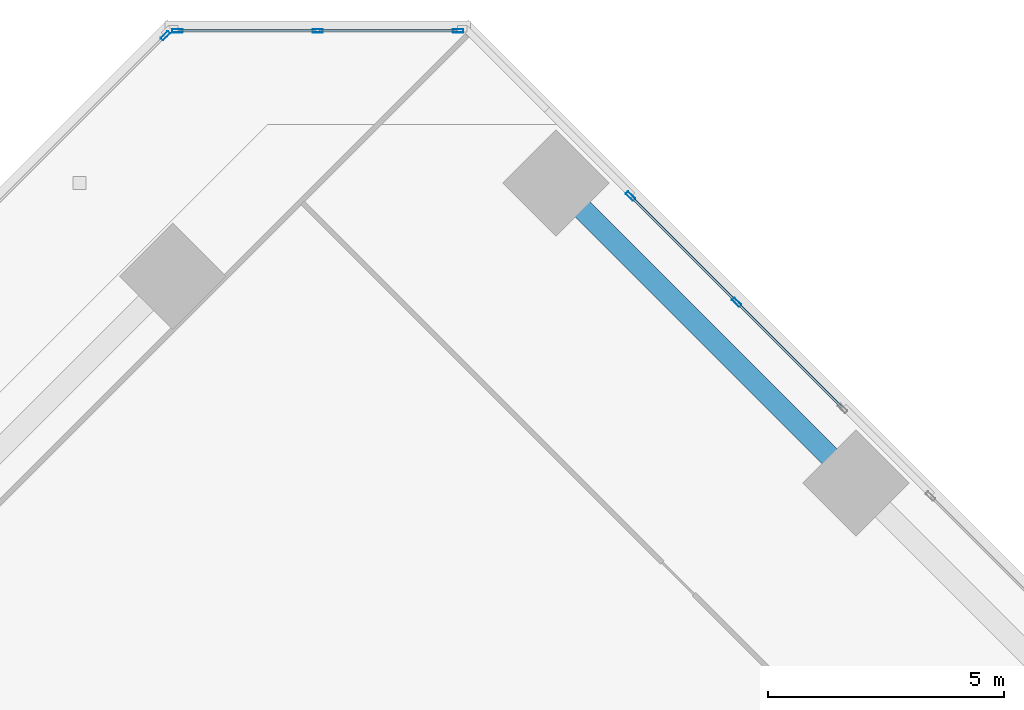
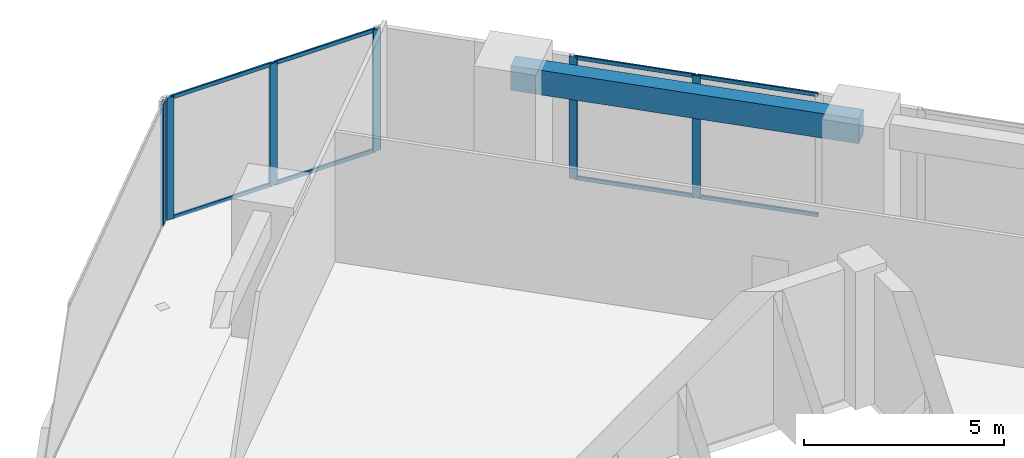
# One storey, part 10 of 17: 14 members, 1 beam, 3 elements without a shape of their own.
"""IFC4 building model written with IfcOpenShell, lengths in metres."""

from ifc_helpers import new_model, si_unit, direction, frame, origin, origin_2d, place, context, subcontext, project, spatial, rectangle, hollow_rectangle, extrude, source, transform, mapped, material, material_profile, profile_set, type_object, element, aggregate, save


model = new_model("IFC4")

# Units and contexts
model_context = context("Model", 3, precision=1e-05, world=origin(), true_north=direction((0.0, 1.0)))
body_context = subcontext(model_context, "Body", "Model", "MODEL_VIEW")
ifc_project = project(units=[si_unit("LENGTHUNIT", "METRE"), si_unit("AREAUNIT", "SQUARE_METRE"), si_unit("VOLUMEUNIT", "CUBIC_METRE"), si_unit("PLANEANGLEUNIT", "RADIAN"), si_unit("MASSUNIT", "GRAM", prefix="KILO")], contexts=[model_context])

# Site, building, storey
site_placement = place(None, origin())
site = spatial("IfcSite", under=ifc_project, at=site_placement, CompositionType="ELEMENT")
building_placement = place(site_placement, origin())
building = spatial("IfcBuilding", under=site, at=building_placement, Name="Torre Montelarca", CompositionType="ELEMENT")
storey_placement = place(building_placement, frame((0.0, 0.0, 241.60009765625)))
storey = spatial("IfcBuildingStorey", under=building, at=storey_placement, Name="L54", CompositionType="ELEMENT", Elevation=241.60009765625)

# Beam
ifc_material_1 = material(Name="Concrete C55/67", Category="concrete")
ifc_material_profile_1 = material_profile(ifc_material_1, rectangle(XDim=0.449951171875, YDim=0.75, at=origin_2d()), Name="RCB450X750", Category="concrete")
ifc_profile_set_1 = profile_set([ifc_material_profile_1], Name="Concrete C55/67")
beam_type = type_object("IfcBeamType", Name="BM-SP-RC750-EXT", PredefinedType="SPANDREL", material=ifc_profile_set_1)
shared_shape_1 = source(origin(), body_context, "Body", "SweptSolid", [
    extrude(rectangle(XDim=0.449951171875, YDim=0.75, at=origin_2d()), origin(), (0.0, 0.0, 1.0), 9.0),
])
beam_placement = place(storey_placement, frame((23.373779296875, 51.551513671875, 3.5849609375), z_axis=(0.707106781187, -0.707106781187, 0.0), x_axis=(0.707106781187, 0.707106781187, 0.0)))
element("IfcBeam", 1, at=beam_placement, inside=storey, type_object=beam_type, Name="L54 Grid Girder X 9.0-18.0 at Y=47.1", PredefinedType="SPANDREL", context=body_context, shape_type="MappedRepresentation", body=[
    mapped(shared_shape_1, transform((0.0, 0.0, 0.0), scale=1.0)),
])

# Curtain wall, members
ifc_material_2 = material(Name="Insulated low-E laminated glass", Category="glass")
curtain_wall_type = type_object("IfcCurtainWallType", Name="CW-SYS-Z3", PredefinedType="USERDEFINED", material=ifc_material_2)
curtain_wall_1_placement = place(storey_placement, origin())
curtain_wall_1 = element("IfcCurtainWall", 2, at=curtain_wall_1_placement, inside=storey, type_object=curtain_wall_type, Name="L54 Curtain Wall Run CW-T3-L54-E08-B3", ObjectType="UNITISED GLAZING", PredefinedType="USERDEFINED")
ifc_material_3 = material(Name="Anodised aluminium AA 6063-T6", Category="aluminium")
ifc_material_profile_2 = material_profile(ifc_material_3, hollow_rectangle(XDim=0.074951171875, YDim=0.219970703125, WallThickness=0.0048828125, InnerFilletRadius=0.0048828125, OuterFilletRadius=0.010009765625, at=origin_2d()), Name="ALU75X220X5", Category="aluminium")
ifc_profile_set_2 = profile_set([ifc_material_profile_2], Name="Anodised aluminium AA 6063-T6")
member_type_1 = type_object("IfcMemberType", Name="CWM-ALU220", PredefinedType="MULLION", material=ifc_profile_set_2)
shared_shape_2 = source(origin(), body_context, "Body", "SweptSolid", [
    extrude(hollow_rectangle(XDim=0.074951171875, YDim=0.219970703125, WallThickness=0.0048828125, InnerFilletRadius=0.0048828125, OuterFilletRadius=0.010009765625, at=origin_2d()), origin(), (0.0, 0.0, 1.0), 3.719970703125),
])
member_1_placement = place(storey_placement, frame((27.206298828125, 49.02001953125, 0.0), z_axis=(0.0, 0.0, 1.0), x_axis=(-0.707106781187, -0.707106781187, 0.0)))
member_1 = element("IfcMember", 3, at=member_1_placement, type_object=member_type_1, Name="CW mullion 2", PredefinedType="MULLION", context=body_context, shape_type="MappedRepresentation", body=[
    mapped(shared_shape_2, transform((0.0, 0.0, 0.0), scale=1.0)),
])
member_2_placement = place(storey_placement, frame((24.9560546875, 51.2705078125, 0.0), z_axis=(0.0, 0.0, 1.0), x_axis=(-0.707106781187, -0.707106781187, 0.0)))
member_2 = element("IfcMember", 4, at=member_2_placement, type_object=member_type_1, Name="CW mullion 3", PredefinedType="MULLION", context=body_context, shape_type="MappedRepresentation", body=[
    mapped(shared_shape_2, transform((0.0, 0.0, 0.0), scale=1.0)),
])

curtain_wall_2_placement = place(storey_placement, origin())
curtain_wall_2 = element("IfcCurtainWall", 5, at=curtain_wall_2_placement, inside=storey, type_object=curtain_wall_type, Name="L54 Curtain Wall Run CW-T3-L54-E09-B1", ObjectType="UNITISED GLAZING", PredefinedType="USERDEFINED")
member_3_placement = place(storey_placement, frame((21.296630859375, 54.7802734375, 0.0), z_axis=(0.0, 0.0, 1.0), x_axis=(0.0, -1.0, 0.0)))
member_3 = element("IfcMember", 6, at=member_3_placement, type_object=member_type_1, Name="CW mullion 1", PredefinedType="MULLION", context=body_context, shape_type="MappedRepresentation", body=[
    mapped(shared_shape_2, transform((0.0, 0.0, 0.0), scale=1.0)),
])
member_4_placement = place(storey_placement, frame((18.318115234375, 54.7802734375, 0.0), z_axis=(0.0, 0.0, 1.0), x_axis=(0.0, -1.0, 0.0)))
member_4 = element("IfcMember", 7, at=member_4_placement, type_object=member_type_1, Name="CW mullion 2", PredefinedType="MULLION", context=body_context, shape_type="MappedRepresentation", body=[
    mapped(shared_shape_2, transform((0.0, 0.0, 0.0), scale=1.0)),
])
member_5_placement = place(storey_placement, frame((15.33935546875, 54.7802734375, 0.0), z_axis=(0.0, 0.0, 1.0), x_axis=(0.0, -1.0, 0.0)))
member_5 = element("IfcMember", 8, at=member_5_placement, type_object=member_type_1, Name="CW mullion 3", PredefinedType="MULLION", context=body_context, shape_type="MappedRepresentation", body=[
    mapped(shared_shape_2, transform((0.0, 0.0, 0.0), scale=1.0)),
])

# Curtain wall, member
curtain_wall_3_placement = place(storey_placement, origin())
curtain_wall_3 = element("IfcCurtainWall", 9, at=curtain_wall_3_placement, inside=storey, type_object=curtain_wall_type, Name="L54 Curtain Wall Run CW-T3-L54-E10-B1", ObjectType="UNITISED GLAZING", PredefinedType="USERDEFINED")
member_6_placement = place(storey_placement, frame((15.083984375, 54.674560546875, 0.0), z_axis=(0.0, 0.0, 1.0), x_axis=(0.707108775742, -0.707104786625, 0.0)))
member_6 = element("IfcMember", 10, at=member_6_placement, type_object=member_type_1, Name="CW mullion 1", PredefinedType="MULLION", context=body_context, shape_type="MappedRepresentation", body=[
    mapped(shared_shape_2, transform((0.0, 0.0, 0.0), scale=1.0)),
])
aggregate(curtain_wall_3, [member_6])

# Member
ifc_material_profile_3 = material_profile(ifc_material_3, hollow_rectangle(XDim=0.054931640625, YDim=0.1201171875, WallThickness=0.00341796875, InnerFilletRadius=0.00341796875, OuterFilletRadius=0.007080078125, at=origin_2d()), Name="ALU55X120X3.5", Category="aluminium")
ifc_profile_set_3 = profile_set([ifc_material_profile_3], Name="Anodised aluminium AA 6063-T6")
member_type_2 = type_object("IfcMemberType", Name="CWT-ALU120", PredefinedType="USERDEFINED", material=ifc_profile_set_3)
shared_shape_3 = source(origin(), body_context, "Body", "SweptSolid", [
    extrude(hollow_rectangle(XDim=0.054931640625, YDim=0.1201171875, WallThickness=0.00341796875, InnerFilletRadius=0.00341796875, OuterFilletRadius=0.007080078125, at=origin_2d()), origin(), (0.0, 0.0, 1.0), 3.107666015625),
])
member_7_placement = place(storey_placement, frame((29.43017578125, 46.796142578125, 0.02734375), z_axis=(-0.707067498568, 0.707146061623, 0.0), x_axis=(-0.707146061623, -0.707067498568, 0.0)))
member_7 = element("IfcMember", 11, at=member_7_placement, type_object=member_type_2, Name="CW transom 1.1", ObjectType="TRANSOM", PredefinedType="USERDEFINED", context=body_context, shape_type="MappedRepresentation", body=[
    mapped(shared_shape_3, transform((0.0, 0.0, 0.0), scale=1.0)),
])

member_8_placement = place(storey_placement, frame((29.43017578125, 46.796142578125, 3.6923828125), z_axis=(-0.707067498568, 0.707146061623, 0.0), x_axis=(-0.707146061623, -0.707067498568, 0.0)))
member_8 = element("IfcMember", 12, at=member_8_placement, type_object=member_type_2, Name="CW transom 1.2", ObjectType="TRANSOM", PredefinedType="USERDEFINED", context=body_context, shape_type="MappedRepresentation", body=[
    mapped(shared_shape_3, transform((0.0, 0.0, 0.0), scale=1.0)),
])

member_9_placement = place(storey_placement, frame((27.179931640625, 49.046630859375, 0.02734375), z_axis=(-0.707146061623, 0.707067498568, 0.0), x_axis=(-0.707067498568, -0.707146061623, 0.0)))
member_9 = element("IfcMember", 13, at=member_9_placement, type_object=member_type_2, Name="CW transom 2.1", ObjectType="TRANSOM", PredefinedType="USERDEFINED", context=body_context, shape_type="MappedRepresentation", body=[
    mapped(shared_shape_3, transform((0.0, 0.0, 0.0), scale=1.0)),
])

member_10_placement = place(storey_placement, frame((27.179931640625, 49.046630859375, 3.6923828125), z_axis=(-0.707146061623, 0.707067498568, 0.0), x_axis=(-0.707067498568, -0.707146061623, 0.0)))
member_10 = element("IfcMember", 14, at=member_10_placement, type_object=member_type_2, Name="CW transom 2.2", ObjectType="TRANSOM", PredefinedType="USERDEFINED", context=body_context, shape_type="MappedRepresentation", body=[
    mapped(shared_shape_3, transform((0.0, 0.0, 0.0), scale=1.0)),
])

aggregate(curtain_wall_1, [member_1, member_2, member_7, member_8, member_9, member_10])

shared_shape_4 = source(origin(), body_context, "Body", "SweptSolid", [
    extrude(hollow_rectangle(XDim=0.054931640625, YDim=0.1201171875, WallThickness=0.00341796875, InnerFilletRadius=0.00341796875, OuterFilletRadius=0.007080078125, at=origin_2d()), origin(), (0.0, 0.0, 1.0), 2.90380859375),
])
member_11_placement = place(storey_placement, frame((21.25927734375, 54.7802734375, 0.02734375), z_axis=(-1.0, 0.0, 0.0), x_axis=(0.0, -1.0, 0.0)))
member_11 = element("IfcMember", 15, at=member_11_placement, type_object=member_type_2, Name="CW transom 1.1", ObjectType="TRANSOM", PredefinedType="USERDEFINED", context=body_context, shape_type="MappedRepresentation", body=[
    mapped(shared_shape_4, transform((0.0, 0.0, 0.0), scale=1.0)),
])

member_12_placement = place(storey_placement, frame((21.25927734375, 54.7802734375, 3.6923828125), z_axis=(-1.0, 0.0, 0.0), x_axis=(0.0, -1.0, 0.0)))
member_12 = element("IfcMember", 16, at=member_12_placement, type_object=member_type_2, Name="CW transom 1.2", ObjectType="TRANSOM", PredefinedType="USERDEFINED", context=body_context, shape_type="MappedRepresentation", body=[
    mapped(shared_shape_4, transform((0.0, 0.0, 0.0), scale=1.0)),
])

member_13_placement = place(storey_placement, frame((18.280517578125, 54.7802734375, 0.02734375), z_axis=(-1.0, 0.0, 0.0), x_axis=(0.0, -1.0, 0.0)))
member_13 = element("IfcMember", 17, at=member_13_placement, type_object=member_type_2, Name="CW transom 2.1", ObjectType="TRANSOM", PredefinedType="USERDEFINED", context=body_context, shape_type="MappedRepresentation", body=[
    mapped(shared_shape_4, transform((0.0, 0.0, 0.0), scale=1.0)),
])

member_14_placement = place(storey_placement, frame((18.280517578125, 54.7802734375, 3.6923828125), z_axis=(-1.0, 0.0, 0.0), x_axis=(0.0, -1.0, 0.0)))
member_14 = element("IfcMember", 18, at=member_14_placement, type_object=member_type_2, Name="CW transom 2.2", ObjectType="TRANSOM", PredefinedType="USERDEFINED", context=body_context, shape_type="MappedRepresentation", body=[
    mapped(shared_shape_4, transform((0.0, 0.0, 0.0), scale=1.0)),
])

aggregate(curtain_wall_2, [member_3, member_4, member_5, member_11, member_12, member_13, member_14])

save(model, "model.ifc")
